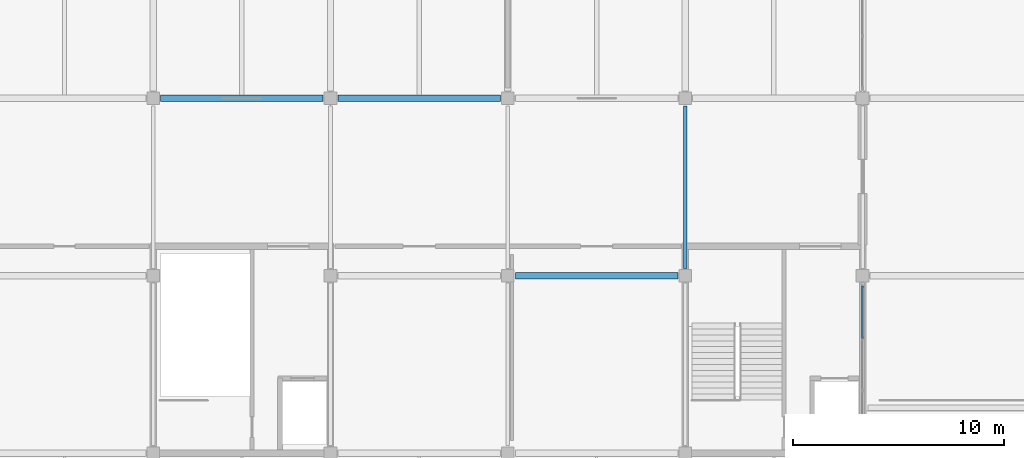
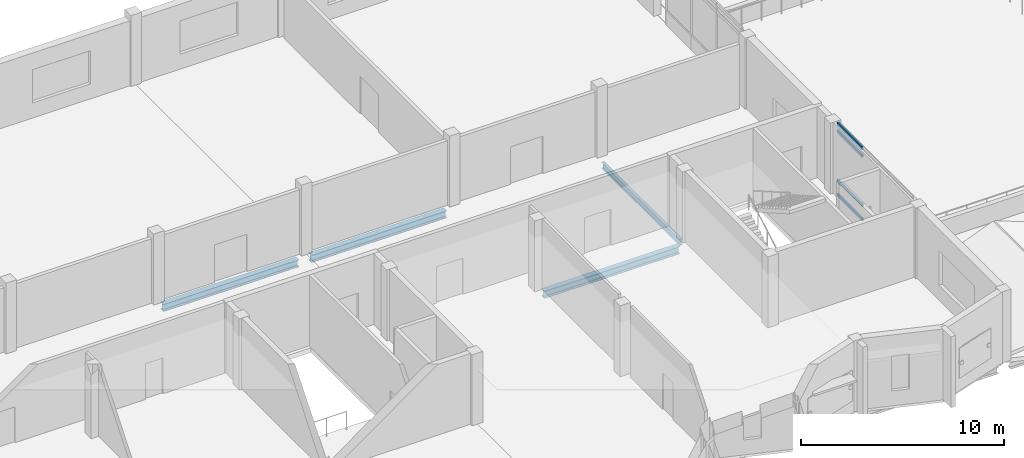
# One storey, part 20 of 81: 4 beams, 4 members, 1 element without a shape of its own.
"""IFC4 building model written with IfcOpenShell, lengths in metres."""

from ifc_helpers import new_model, si_unit, direction, frame, origin, origin_2d, place, context, subcontext, project, spatial, rectangle, i_section, extrude, material, layer, layer_set, material_profile, profile_set, type_object, element, aggregate, save


model = new_model("IFC4")

# Units and contexts
model_context = context("Model", 3, precision=1e-05, world=origin(), true_north=direction((0.0, 1.0)))
body_context = subcontext(model_context, "Body", "Model", "MODEL_VIEW")
ifc_project = project(units=[si_unit("LENGTHUNIT", "METRE"), si_unit("AREAUNIT", "SQUARE_METRE"), si_unit("VOLUMEUNIT", "CUBIC_METRE"), si_unit("PLANEANGLEUNIT", "RADIAN"), si_unit("MASSUNIT", "GRAM", prefix="KILO")], contexts=[model_context])

# Site, building, storey
site_placement = place(None, origin())
site = spatial("IfcSite", under=ifc_project, at=site_placement, CompositionType="ELEMENT")
building_placement = place(site_placement, origin())
building = spatial("IfcBuilding", under=site, at=building_placement, Name="Qawsi Khor Wholesale Market", CompositionType="ELEMENT")
storey_placement = place(building_placement, frame((0.0, 0.0, 16.199951171875)))
storey = spatial("IfcBuildingStorey", under=building, at=storey_placement, Name="L03", CompositionType="ELEMENT", Elevation=16.199951171875)

# Curtain wall, members
ifc_material_1 = material(Name="Aluminium Anodised Bronze", Category="aluminium")
ifc_layer = layer(ifc_material_1, 0.169921875, Name="Aluminium Anodised Bronze")
ifc_layer_set = layer_set([ifc_layer], Name="Aluminium Anodised Bronze")
curtain_wall_type = type_object("IfcCurtainWallType", Name="Central Court Gallery Curtain Wall CW-05", PredefinedType="NOTDEFINED", material=ifc_layer_set)
curtain_wall_placement = place(storey_placement, origin())
curtain_wall = element("IfcCurtainWall", 1, at=curtain_wall_placement, inside=storey, type_object=curtain_wall_type, Name="Curtain wall CW-CW-05-L03-070", PredefinedType="NOTDEFINED")
ifc_material_profile_1 = material_profile(ifc_material_1, rectangle(XDim=0.080078125, YDim=0.179931640625, at=origin_2d()), Name="ALU TRANSOM 80x180")
ifc_profile_set_1 = profile_set([ifc_material_profile_1], Name="Aluminium Anodised Bronze")
member_type = type_object("IfcMemberType", Name="Curtain Wall Transom CW-05 ALU TRANSOM 80x180", PredefinedType="USERDEFINED", material=ifc_profile_set_1)
member_1_placement = place(storey_placement, frame((126.0, 13.833251953125, 0.0), z_axis=(0.0, 1.0, 0.0), x_axis=(-1.0, 0.0, 0.0)))
member_1 = element("IfcMember", 2, at=member_1_placement, type_object=member_type, Name="Transom CW-CW-05-L03-070-T0_02", ObjectType="TRANSOM", PredefinedType="USERDEFINED", context=body_context, shape_type="SweptSolid", body=[
    extrude(rectangle(XDim=0.080078125, YDim=0.179931640625, at=origin_2d()), origin(), (0.0, 0.0, 1.0), 2.466796875),
])
member_2_placement = place(storey_placement, frame((126.0, 13.833251953125, 0.85009765625), z_axis=(0.0, 1.0, 0.0), x_axis=(-1.0, 0.0, 0.0)))
member_2 = element("IfcMember", 3, at=member_2_placement, type_object=member_type, Name="Transom CW-CW-05-L03-070-T1_02", ObjectType="TRANSOM", PredefinedType="USERDEFINED", context=body_context, shape_type="SweptSolid", body=[
    extrude(rectangle(XDim=0.080078125, YDim=0.179931640625, at=origin_2d()), origin(), (0.0, 0.0, 1.0), 2.466796875),
])
member_3_placement = place(storey_placement, frame((126.0, 13.833251953125, 3.81005859375), z_axis=(0.0, 1.0, 0.0), x_axis=(-1.0, 0.0, 0.0)))
member_3 = element("IfcMember", 4, at=member_3_placement, type_object=member_type, Name="Transom CW-CW-05-L03-070-T2_02", ObjectType="TRANSOM", PredefinedType="USERDEFINED", context=body_context, shape_type="SweptSolid", body=[
    extrude(rectangle(XDim=0.080078125, YDim=0.179931640625, at=origin_2d()), origin(), (0.0, 0.0, 1.0), 2.466796875),
])
member_4_placement = place(storey_placement, frame((126.0, 13.833251953125, 4.260009765625), z_axis=(0.0, 1.0, 0.0), x_axis=(-1.0, 0.0, 0.0)))
member_4 = element("IfcMember", 5, at=member_4_placement, type_object=member_type, Name="Transom CW-CW-05-L03-070-T3_02", ObjectType="TRANSOM", PredefinedType="USERDEFINED", context=body_context, shape_type="SweptSolid", body=[
    extrude(rectangle(XDim=0.080078125, YDim=0.179931640625, at=origin_2d()), origin(), (0.0, 0.0, 1.0), 2.466796875),
])
aggregate(curtain_wall, [member_1, member_2, member_3, member_4])

# Beams
ifc_material_2 = material(Name="Steel S355", Category="steel")
ifc_material_profile_2 = material_profile(ifc_material_2, i_section(OverallWidth=0.300048828125, OverallDepth=0.43994140625, WebThickness=0.011474609375, FlangeThickness=0.02099609375, FilletRadius=0.027099609375, at=origin_2d()), Name="HEA 450")
ifc_profile_set_2 = profile_set([ifc_material_profile_2], Name="Steel S355")
beam_type_1 = type_object("IfcBeamType", Name="Primary Girder HEA 450", PredefinedType="BEAM", material=ifc_profile_set_2)
beam_1_placement = place(storey_placement, frame((92.75, 25.199951171875, -0.5), z_axis=(1.0, 0.0, 0.0), x_axis=(0.0, 1.0, 0.0)))
element("IfcBeam", 6, at=beam_1_placement, inside=storey, type_object=beam_type_1, Name="BM-X-L03-11_+03", PredefinedType="BEAM", context=body_context, shape_type="SweptSolid", body=[
    extrude(i_section(OverallWidth=0.300048828125, OverallDepth=0.43994140625, WebThickness=0.011474609375, FlangeThickness=0.02099609375, FilletRadius=0.027099609375, at=origin_2d()), origin(), (0.0, 0.0, 1.0), 7.699951171875),
])
beam_2_placement = place(storey_placement, frame((101.14990234375, 25.199951171875, -0.5), z_axis=(1.0, 0.0, 0.0), x_axis=(0.0, 1.0, 0.0)))
element("IfcBeam", 7, at=beam_2_placement, inside=storey, type_object=beam_type_1, Name="BM-X-L03-12_+03", PredefinedType="BEAM", context=body_context, shape_type="SweptSolid", body=[
    extrude(i_section(OverallWidth=0.300048828125, OverallDepth=0.43994140625, WebThickness=0.011474609375, FlangeThickness=0.02099609375, FilletRadius=0.027099609375, at=origin_2d()), origin(), (0.0, 0.0, 1.0), 7.7001953125),
])
beam_3_placement = place(storey_placement, frame((109.550048828125, 16.800048828125, -0.5), z_axis=(1.0, 0.0, 0.0), x_axis=(0.0, 1.0, 0.0)))
element("IfcBeam", 8, at=beam_3_placement, inside=storey, type_object=beam_type_1, Name="BM-X-L03-13_+02", PredefinedType="BEAM", context=body_context, shape_type="SweptSolid", body=[
    extrude(i_section(OverallWidth=0.300048828125, OverallDepth=0.43994140625, WebThickness=0.011474609375, FlangeThickness=0.02099609375, FilletRadius=0.027099609375, at=origin_2d()), origin(), (0.0, 0.0, 1.0), 7.699951171875),
])
ifc_material_profile_3 = material_profile(ifc_material_2, i_section(OverallWidth=0.169921875, OverallDepth=0.360107421875, WebThickness=0.008056640625, FlangeThickness=0.0126953125, FilletRadius=0.01806640625, at=origin_2d()), Name="IPE 360")
ifc_profile_set_3 = profile_set([ifc_material_profile_3], Name="Steel S355")
beam_type_2 = type_object("IfcBeamType", Name="Secondary Beam IPE 360", PredefinedType="BEAM", material=ifc_profile_set_3)
beam_4_placement = place(storey_placement, frame((117.60009765625, 17.14990234375, -0.4599609375), z_axis=(0.0, 1.0, 0.0), x_axis=(-1.0, 0.0, 0.0)))
element("IfcBeam", 9, at=beam_4_placement, inside=storey, type_object=beam_type_2, Name="BM-Y-L03-14_+02", PredefinedType="BEAM", context=body_context, shape_type="SweptSolid", body=[
    extrude(i_section(OverallWidth=0.169921875, OverallDepth=0.360107421875, WebThickness=0.008056640625, FlangeThickness=0.0126953125, FilletRadius=0.01806640625, at=origin_2d()), origin(), (0.0, 0.0, 1.0), 7.7001953125),
])

save(model, "model.ifc")
